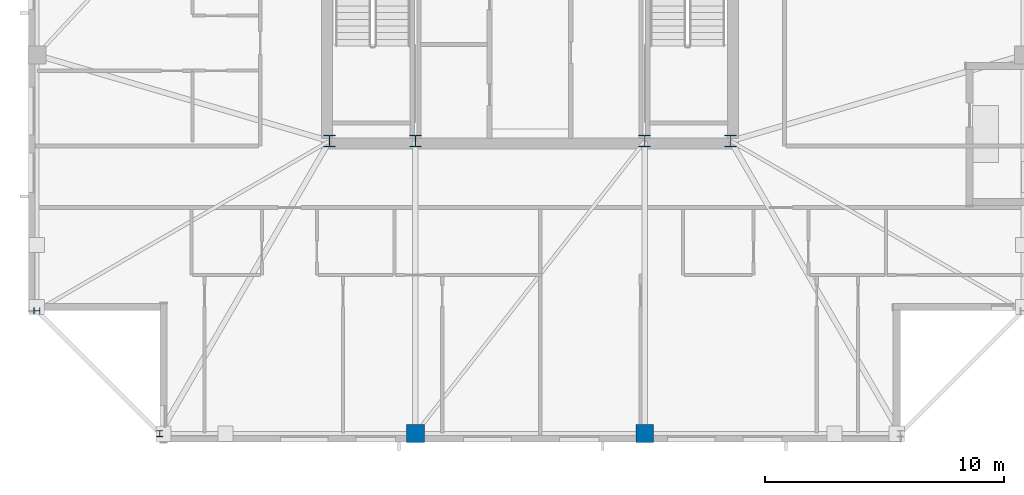
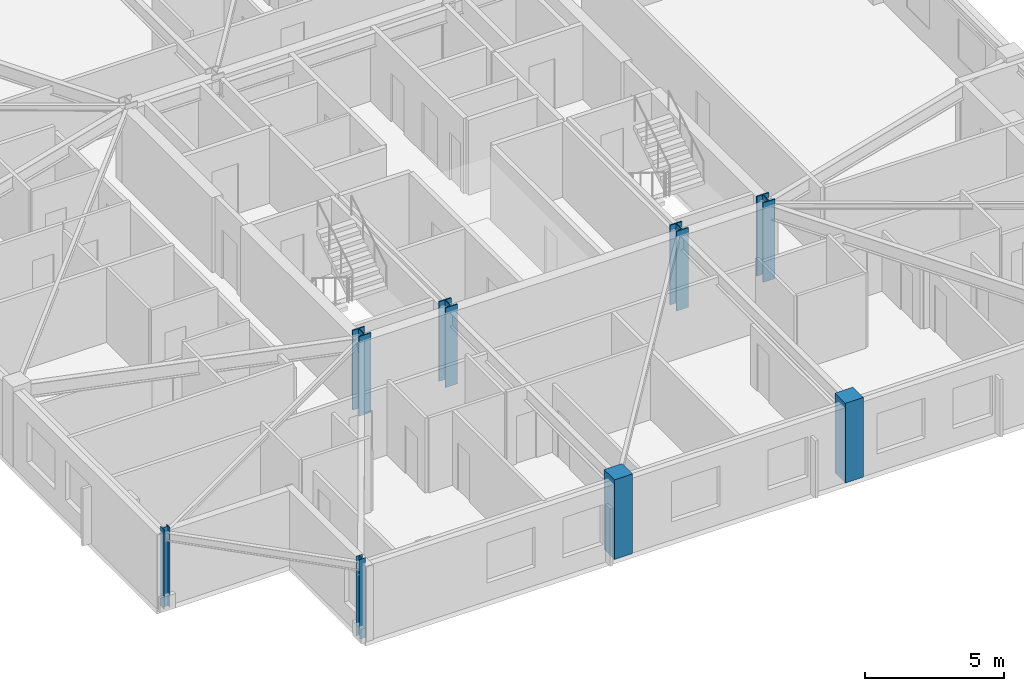
# One storey, part 1 of 15: 8 columns.
"""IFC4 building model written with IfcOpenShell, lengths in metres."""

from ifc_helpers import new_model, si_unit, direction, frame, origin, origin_2d, place, context, subcontext, project, spatial, rectangle, i_section, extrude, material, material_profile, profile_set, type_object, element, save


model = new_model("IFC4")

# Units and contexts
model_context = context("Model", 3, precision=1e-05, world=origin(), true_north=direction((0.0, 1.0)))
body_context = subcontext(model_context, "Body", "Model", "MODEL_VIEW")
ifc_project = project(units=[si_unit("LENGTHUNIT", "METRE"), si_unit("AREAUNIT", "SQUARE_METRE"), si_unit("VOLUMEUNIT", "CUBIC_METRE"), si_unit("PLANEANGLEUNIT", "RADIAN"), si_unit("MASSUNIT", "GRAM", prefix="KILO")], contexts=[model_context])

# Site, building, storey
site_placement = place(None, origin())
site = spatial("IfcSite", under=ifc_project, at=site_placement, CompositionType="ELEMENT")
building_placement = place(site_placement, origin())
building = spatial("IfcBuilding", under=site, at=building_placement, Name="Cairnveth Concourse Tower", CompositionType="ELEMENT")
storey_placement = place(building_placement, frame((0.0, 0.0, 298.0)))
storey = spatial("IfcBuildingStorey", under=building, at=storey_placement, Name="L82", CompositionType="ELEMENT", Elevation=298.0)

# Columns
ifc_material_1 = material(Name="Concrete N50 (50 MPa)", Category="concrete")
ifc_material_profile_1 = material_profile(ifc_material_1, rectangle(XDim=0.75, YDim=0.75, at=origin_2d()), Name="RC-COL-750x750")
ifc_profile_set_1 = profile_set([ifc_material_profile_1], Name="Concrete N50 (50 MPa)")
column_type_1 = type_object("IfcColumnType", Name="PERIMETER PIER COLUMN 750X750", PredefinedType="COLUMN", material=ifc_profile_set_1)
for number, where, z_axis, x_axis, name in (
    (1, (47.199951171875, 18.35009765625, 0.0), (0.0, 0.0, 1.0), (1.0, 0.0, 0.0), "Column P-S2 L82"),
    (2, (56.800048828125, 18.35009765625, 0.0), (0.0, 0.0, 1.0), (1.0, 0.0, 0.0), "Column P-S3 L82"),
):
    element("IfcColumn", number, at=place(storey_placement, frame(where, z_axis=z_axis, x_axis=x_axis)), inside=storey, type_object=column_type_1, Name=name, PredefinedType="COLUMN", context=body_context, shape_type="SweptSolid", body=[
        extrude(rectangle(XDim=0.75, YDim=0.75, at=origin_2d()), origin(), (0.0, 0.0, 1.0), 3.5),
    ])
ifc_material_2 = material(Name="Steel Grade 350", Category="steel")
ifc_material_profile_2 = material_profile(ifc_material_2, i_section(OverallWidth=0.25390625, OverallDepth=0.25390625, WebThickness=0.008544921875, FlangeThickness=0.01416015625, FilletRadius=0.012939453125, at=origin_2d()), Name="250UC72.9")
ifc_profile_set_2 = profile_set([ifc_material_profile_2], Name="Steel Grade 350")
column_type_2 = type_object("IfcColumnType", Name="UNIVERSAL STEEL COLUMN 250UC72.9", PredefinedType="COLUMN", material=ifc_profile_set_2)
for number, where, z_axis, x_axis, name in (
    (3, (36.5, 18.35009765625, 0.0), (0.0, 0.0, 1.0), (1.0, 0.0, 0.0), "Column P-S1 L82"),
    (4, (31.35009765625, 23.5, 0.0), (0.0, 0.0, 1.0), (0.0, 1.0, 0.0), "Column P-W4 L82"),
):
    element("IfcColumn", number, at=place(storey_placement, frame(where, z_axis=z_axis, x_axis=x_axis)), inside=storey, type_object=column_type_2, Name=name, PredefinedType="COLUMN", context=body_context, shape_type="SweptSolid", body=[
        extrude(i_section(OverallWidth=0.25390625, OverallDepth=0.25390625, WebThickness=0.008544921875, FlangeThickness=0.01416015625, FilletRadius=0.012939453125, at=origin_2d()), origin(), (0.0, 0.0, 1.0), 3.5),
    ])
ifc_material_profile_3 = material_profile(ifc_material_2, i_section(OverallWidth=0.5, OverallDepth=0.5, WebThickness=0.028076171875, FlangeThickness=0.044921875, at=origin_2d()), Name="500WC383")
ifc_profile_set_3 = profile_set([ifc_material_profile_3], Name="Steel Grade 350")
column_type_3 = type_object("IfcColumnType", Name="WELDED STEEL COLUMN 500WC383", PredefinedType="COLUMN", material=ifc_profile_set_3)
for number, where, z_axis, x_axis, name in (
    (5, (43.60009765625, 30.60009765625, 0.0), (0.0, 0.0, 1.0), (1.0, 0.0, 0.0), "Column CC1 L82"),
    (6, (47.199951171875, 30.60009765625, 0.0), (0.0, 0.0, 1.0), (1.0, 0.0, 0.0), "Column CC2 L82"),
    (7, (56.800048828125, 30.60009765625, 0.0), (0.0, 0.0, 1.0), (1.0, 0.0, 0.0), "Column CC3 L82"),
    (8, (60.39990234375, 30.60009765625, 0.0), (0.0, 0.0, 1.0), (1.0, 0.0, 0.0), "Column CC4 L82"),
):
    element("IfcColumn", number, at=place(storey_placement, frame(where, z_axis=z_axis, x_axis=x_axis)), inside=storey, type_object=column_type_3, Name=name, PredefinedType="COLUMN", context=body_context, shape_type="SweptSolid", body=[
        extrude(i_section(OverallWidth=0.5, OverallDepth=0.5, WebThickness=0.028076171875, FlangeThickness=0.044921875, at=origin_2d()), origin(), (0.0, 0.0, 1.0), 3.5),
    ])

save(model, "model.ifc")
